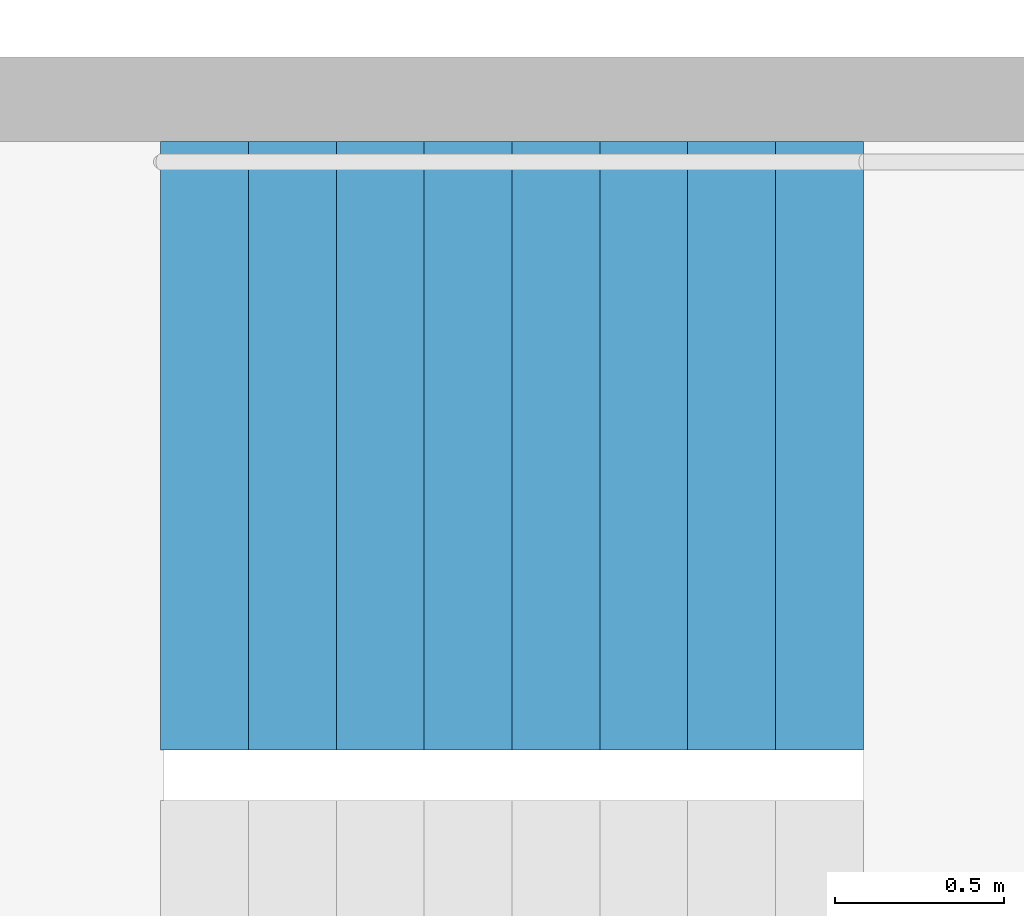
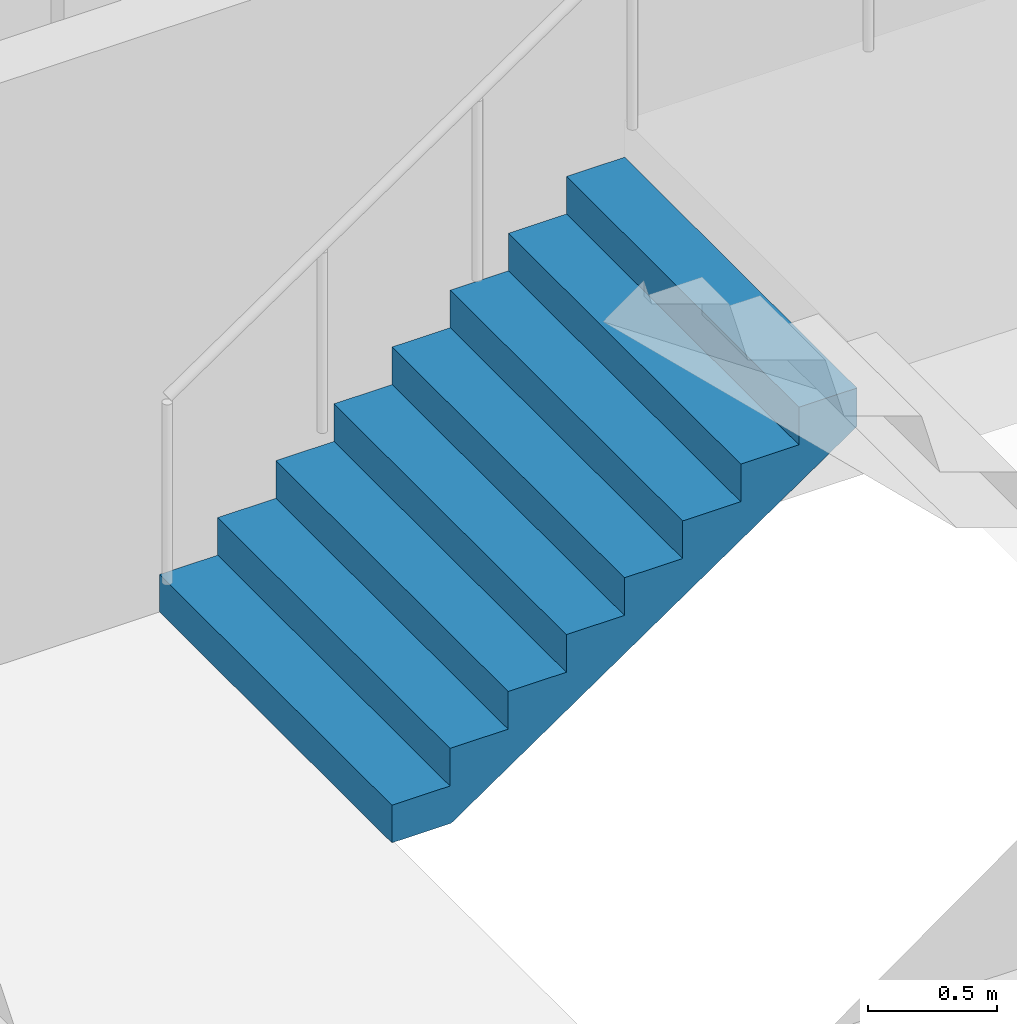
# One storey, part 23 of 26: 1 stair flight, 1 element without a shape of its own.
"""IFC4 building model written with IfcOpenShell, lengths in metres."""

from ifc_helpers import new_model, si_unit, direction, frame, origin, place, context, subcontext, project, spatial, triangles, material, type_object, element, aggregate, save


model = new_model("IFC4")

# Units and contexts
model_context = context("Model", 3, precision=1e-05, world=origin(), true_north=direction((0.0, 1.0)))
body_context = subcontext(model_context, "Body", "Model", "MODEL_VIEW")
ifc_project = project(units=[si_unit("LENGTHUNIT", "METRE"), si_unit("AREAUNIT", "SQUARE_METRE"), si_unit("VOLUMEUNIT", "CUBIC_METRE"), si_unit("PLANEANGLEUNIT", "RADIAN"), si_unit("MASSUNIT", "GRAM", prefix="KILO")], contexts=[model_context])

# Site, building, storey
site_placement = place(None, origin())
site = spatial("IfcSite", under=ifc_project, at=site_placement, CompositionType="ELEMENT")
building_placement = place(site_placement, origin())
building = spatial("IfcBuilding", under=site, at=building_placement, Name="Hakoniwa Tower and Hamabe Station Hall", CompositionType="ELEMENT")
storey_placement = place(building_placement, frame((0.0, 0.0, 153.39990234375)))
storey = spatial("IfcBuildingStorey", under=building, at=storey_placement, Name="L43", CompositionType="ELEMENT", Elevation=153.39990234375)

# Stair, stair flight
ifc_material_1 = material(Name="Concrete C40", Category="concrete")
stair_type = type_object("IfcStairType", Name="ESCAPE STAIR 1800", PredefinedType="HALF_TURN_STAIR", material=ifc_material_1)
stair_placement = place(storey_placement, origin())
stair = element("IfcStair", 1, at=stair_placement, inside=storey, type_object=stair_type, Name="Escape stair ST-4 L43", PredefinedType="HALF_TURN_STAIR")
ifc_material_2 = material(Name="Concrete C40", Category="concrete")
stair_flight_type = type_object("IfcStairFlightType", Name="STAIR FLIGHT 1800", PredefinedType="STRAIGHT", material=ifc_material_2)
stair_flight_placement = place(storey_placement, frame((23.39990234375, -4.64990234375, 0.0), z_axis=(0.0, 0.0, 1.0), x_axis=(1.0, 0.0, 0.0)))
stair_flight = element("IfcStairFlight", 2, at=stair_flight_placement, type_object=stair_flight_type, Name="ST-4 flight 1", NumberOfRisers=9, NumberOfTreads=8, PredefinedType="STRAIGHT", RiserHeight=0.177777778, TreadLength=0.26, context=body_context, shape_type="Tessellation", body=[
    triangles([(0.0, 0.89990234375, 0.0), (0.260009765625, 0.89990234375, 0.0), (0.265625, 0.89990234375, 0.0), (0.52001953125, 0.89990234375, 0.174072265625), (0.780029296875, 0.89990234375, 0.351806640625), (1.0400390625, 0.89990234375, 0.529541015625), (1.300048828125, 0.89990234375, 0.707275390625), (1.56005859375, 0.89990234375, 0.885009765625), (1.820068359375, 0.89990234375, 1.062744140625), (2.080078125, 0.89990234375, 1.24072265625), (2.080078125, 0.89990234375, 1.422119140625), (1.820068359375, 0.89990234375, 1.422119140625), (1.820068359375, 0.89990234375, 1.244384765625), (1.56005859375, 0.89990234375, 1.244384765625), (1.56005859375, 0.89990234375, 1.066650390625), (1.300048828125, 0.89990234375, 1.066650390625), (1.300048828125, 0.89990234375, 0.888916015625), (1.0400390625, 0.89990234375, 0.888916015625), (1.0400390625, 0.89990234375, 0.711181640625), (0.780029296875, 0.89990234375, 0.711181640625), (0.780029296875, 0.89990234375, 0.533447265625), (0.52001953125, 0.89990234375, 0.533447265625), (0.52001953125, 0.89990234375, 0.35546875), (0.265625, 0.89990234375, 0.35546875), (0.260009765625, 0.89990234375, 0.35546875), (0.260009765625, 0.89990234375, 0.177734375), (0.0, 0.89990234375, 0.177734375), (0.0, 0.06005859375, 0.0), (0.260009765625, 0.06005859375, 0.0), (0.265625, 0.06005859375, 0.0), (0.52001953125, 0.06005859375, 0.174072265625), (0.780029296875, 0.06005859375, 0.351806640625), (1.0400390625, 0.06005859375, 0.529541015625), (1.300048828125, 0.06005859375, 0.707275390625), (1.56005859375, 0.06005859375, 0.885009765625), (1.820068359375, 0.06005859375, 1.062744140625), (2.080078125, 0.06005859375, 1.24072265625), (2.080078125, 0.06005859375, 1.422119140625), (1.820068359375, 0.06005859375, 1.422119140625), (1.820068359375, 0.06005859375, 1.244384765625), (1.56005859375, 0.06005859375, 1.244384765625), (1.56005859375, 0.06005859375, 1.066650390625), (1.300048828125, 0.06005859375, 1.066650390625), (1.300048828125, 0.06005859375, 0.888916015625), (1.0400390625, 0.06005859375, 0.888916015625), (1.0400390625, 0.06005859375, 0.711181640625), (0.780029296875, 0.06005859375, 0.711181640625), (0.780029296875, 0.06005859375, 0.533447265625), (0.52001953125, 0.06005859375, 0.533447265625), (0.52001953125, 0.06005859375, 0.35546875), (0.265625, 0.06005859375, 0.35546875), (0.260009765625, 0.06005859375, 0.35546875), (0.260009765625, 0.06005859375, 0.177734375), (0.0, 0.06005859375, 0.177734375), (0.0, 0.04296875, 0.0), (0.260009765625, 0.04296875, 0.0), (0.265625, 0.04296875, 0.0), (0.52001953125, 0.04296875, 0.174072265625), (0.780029296875, 0.04296875, 0.351806640625), (1.0400390625, 0.04296875, 0.529541015625), (1.300048828125, 0.04296875, 0.707275390625), (1.56005859375, 0.04296875, 0.885009765625), (1.820068359375, 0.04296875, 1.062744140625), (2.080078125, 0.04296875, 1.24072265625), (2.080078125, 0.04296875, 1.422119140625), (1.820068359375, 0.04296875, 1.422119140625), (1.820068359375, 0.04296875, 1.244384765625), (1.56005859375, 0.04296875, 1.244384765625), (1.56005859375, 0.04296875, 1.066650390625), (1.300048828125, 0.04296875, 1.066650390625), (1.300048828125, 0.04296875, 0.888916015625), (1.0400390625, 0.04296875, 0.888916015625), (1.0400390625, 0.04296875, 0.711181640625), (0.780029296875, 0.04296875, 0.711181640625), (0.780029296875, 0.04296875, 0.533447265625), (0.52001953125, 0.04296875, 0.533447265625), (0.52001953125, 0.04296875, 0.35546875), (0.265625, 0.04296875, 0.35546875), (0.260009765625, 0.04296875, 0.35546875), (0.260009765625, 0.04296875, 0.177734375), (0.0, 0.04296875, 0.177734375), (0.0, 0.025634765625, 0.0), (0.260009765625, 0.025634765625, 0.0), (0.265625, 0.025634765625, 0.0), (0.52001953125, 0.025634765625, 0.174072265625), (0.780029296875, 0.025634765625, 0.351806640625), (1.0400390625, 0.025634765625, 0.529541015625), (1.300048828125, 0.025634765625, 0.707275390625), (1.56005859375, 0.025634765625, 0.885009765625), (1.820068359375, 0.025634765625, 1.062744140625), (2.080078125, 0.025634765625, 1.24072265625), (2.080078125, 0.025634765625, 1.422119140625), (1.820068359375, 0.025634765625, 1.422119140625), (1.820068359375, 0.025634765625, 1.244384765625), (1.56005859375, 0.025634765625, 1.244384765625), (1.56005859375, 0.025634765625, 1.066650390625), (1.300048828125, 0.025634765625, 1.066650390625), (1.300048828125, 0.025634765625, 0.888916015625), (1.0400390625, 0.025634765625, 0.888916015625), (1.0400390625, 0.025634765625, 0.711181640625), (0.780029296875, 0.025634765625, 0.711181640625), (0.780029296875, 0.025634765625, 0.533447265625), (0.52001953125, 0.025634765625, 0.533447265625), (0.52001953125, 0.025634765625, 0.35546875), (0.265625, 0.025634765625, 0.35546875), (0.260009765625, 0.025634765625, 0.35546875), (0.260009765625, 0.025634765625, 0.177734375), (0.0, 0.025634765625, 0.177734375), (0.0, 0.008544921875, 0.0), (0.260009765625, 0.008544921875, 0.0), (0.265625, 0.008544921875, 0.0), (0.52001953125, 0.008544921875, 0.174072265625), (0.780029296875, 0.008544921875, 0.351806640625), (1.0400390625, 0.008544921875, 0.529541015625), (1.300048828125, 0.008544921875, 0.707275390625), (1.56005859375, 0.008544921875, 0.885009765625), (1.820068359375, 0.008544921875, 1.062744140625), (2.080078125, 0.008544921875, 1.24072265625), (2.080078125, 0.008544921875, 1.422119140625), (1.820068359375, 0.008544921875, 1.422119140625), (1.820068359375, 0.008544921875, 1.244384765625), (1.56005859375, 0.008544921875, 1.244384765625), (1.56005859375, 0.008544921875, 1.066650390625), (1.300048828125, 0.008544921875, 1.066650390625), (1.300048828125, 0.008544921875, 0.888916015625), (1.0400390625, 0.008544921875, 0.888916015625), (1.0400390625, 0.008544921875, 0.711181640625), (0.780029296875, 0.008544921875, 0.711181640625), (0.780029296875, 0.008544921875, 0.533447265625), (0.52001953125, 0.008544921875, 0.533447265625), (0.52001953125, 0.008544921875, 0.35546875), (0.265625, 0.008544921875, 0.35546875), (0.260009765625, 0.008544921875, 0.35546875), (0.260009765625, 0.008544921875, 0.177734375), (0.0, 0.008544921875, 0.177734375), (0.0, -0.008544921875, 0.0), (0.260009765625, -0.008544921875, 0.0), (0.265625, -0.008544921875, 0.0), (0.52001953125, -0.008544921875, 0.174072265625), (0.780029296875, -0.008544921875, 0.351806640625), (1.0400390625, -0.008544921875, 0.529541015625), (1.300048828125, -0.008544921875, 0.707275390625), (1.56005859375, -0.008544921875, 0.885009765625), (1.820068359375, -0.008544921875, 1.062744140625), (2.080078125, -0.008544921875, 1.24072265625), (2.080078125, -0.008544921875, 1.422119140625), (1.820068359375, -0.008544921875, 1.422119140625), (1.820068359375, -0.008544921875, 1.244384765625), (1.56005859375, -0.008544921875, 1.244384765625), (1.56005859375, -0.008544921875, 1.066650390625), (1.300048828125, -0.008544921875, 1.066650390625), (1.300048828125, -0.008544921875, 0.888916015625), (1.0400390625, -0.008544921875, 0.888916015625), (1.0400390625, -0.008544921875, 0.711181640625), (0.780029296875, -0.008544921875, 0.711181640625), (0.780029296875, -0.008544921875, 0.533447265625), (0.52001953125, -0.008544921875, 0.533447265625), (0.52001953125, -0.008544921875, 0.35546875), (0.265625, -0.008544921875, 0.35546875), (0.260009765625, -0.008544921875, 0.35546875), (0.260009765625, -0.008544921875, 0.177734375), (0.0, -0.008544921875, 0.177734375), (0.0, -0.025634765625, 0.0), (0.260009765625, -0.025634765625, 0.0), (0.265625, -0.025634765625, 0.0), (0.52001953125, -0.025634765625, 0.174072265625), (0.780029296875, -0.025634765625, 0.351806640625), (1.0400390625, -0.025634765625, 0.529541015625), (1.300048828125, -0.025634765625, 0.707275390625), (1.56005859375, -0.025634765625, 0.885009765625), (1.820068359375, -0.025634765625, 1.062744140625), (2.080078125, -0.025634765625, 1.24072265625), (2.080078125, -0.025634765625, 1.422119140625), (1.820068359375, -0.025634765625, 1.422119140625), (1.820068359375, -0.025634765625, 1.244384765625), (1.56005859375, -0.025634765625, 1.244384765625), (1.56005859375, -0.025634765625, 1.066650390625), (1.300048828125, -0.025634765625, 1.066650390625), (1.300048828125, -0.025634765625, 0.888916015625), (1.0400390625, -0.025634765625, 0.888916015625), (1.0400390625, -0.025634765625, 0.711181640625), (0.780029296875, -0.025634765625, 0.711181640625), (0.780029296875, -0.025634765625, 0.533447265625), (0.52001953125, -0.025634765625, 0.533447265625), (0.52001953125, -0.025634765625, 0.35546875), (0.265625, -0.025634765625, 0.35546875), (0.260009765625, -0.025634765625, 0.35546875), (0.260009765625, -0.025634765625, 0.177734375), (0.0, -0.025634765625, 0.177734375), (0.0, -0.04296875, 0.0), (0.260009765625, -0.04296875, 0.0), (0.265625, -0.04296875, 0.0), (0.52001953125, -0.04296875, 0.174072265625), (0.780029296875, -0.04296875, 0.351806640625), (1.0400390625, -0.04296875, 0.529541015625), (1.300048828125, -0.04296875, 0.707275390625), (1.56005859375, -0.04296875, 0.885009765625), (1.820068359375, -0.04296875, 1.062744140625), (2.080078125, -0.04296875, 1.24072265625), (2.080078125, -0.04296875, 1.422119140625), (1.820068359375, -0.04296875, 1.422119140625), (1.820068359375, -0.04296875, 1.244384765625), (1.56005859375, -0.04296875, 1.244384765625), (1.56005859375, -0.04296875, 1.066650390625), (1.300048828125, -0.04296875, 1.066650390625), (1.300048828125, -0.04296875, 0.888916015625), (1.0400390625, -0.04296875, 0.888916015625), (1.0400390625, -0.04296875, 0.711181640625), (0.780029296875, -0.04296875, 0.711181640625), (0.780029296875, -0.04296875, 0.533447265625), (0.52001953125, -0.04296875, 0.533447265625), (0.52001953125, -0.04296875, 0.35546875), (0.265625, -0.04296875, 0.35546875), (0.260009765625, -0.04296875, 0.35546875), (0.260009765625, -0.04296875, 0.177734375), (0.0, -0.04296875, 0.177734375), (0.0, -0.06005859375, 0.0), (0.260009765625, -0.06005859375, 0.0), (0.265625, -0.06005859375, 0.0), (0.52001953125, -0.06005859375, 0.174072265625), (0.780029296875, -0.06005859375, 0.351806640625), (1.0400390625, -0.06005859375, 0.529541015625), (1.300048828125, -0.06005859375, 0.707275390625), (1.56005859375, -0.06005859375, 0.885009765625), (1.820068359375, -0.06005859375, 1.062744140625), (2.080078125, -0.06005859375, 1.24072265625), (2.080078125, -0.06005859375, 1.422119140625), (1.820068359375, -0.06005859375, 1.422119140625), (1.820068359375, -0.06005859375, 1.244384765625), (1.56005859375, -0.06005859375, 1.244384765625), (1.56005859375, -0.06005859375, 1.066650390625), (1.300048828125, -0.06005859375, 1.066650390625), (1.300048828125, -0.06005859375, 0.888916015625), (1.0400390625, -0.06005859375, 0.888916015625), (1.0400390625, -0.06005859375, 0.711181640625), (0.780029296875, -0.06005859375, 0.711181640625), (0.780029296875, -0.06005859375, 0.533447265625), (0.52001953125, -0.06005859375, 0.533447265625), (0.52001953125, -0.06005859375, 0.35546875), (0.265625, -0.06005859375, 0.35546875), (0.260009765625, -0.06005859375, 0.35546875), (0.260009765625, -0.06005859375, 0.177734375), (0.0, -0.06005859375, 0.177734375), (0.0, -0.89990234375, 0.0), (0.260009765625, -0.89990234375, 0.0), (0.265625, -0.89990234375, 0.0), (0.52001953125, -0.89990234375, 0.174072265625), (0.780029296875, -0.89990234375, 0.351806640625), (1.0400390625, -0.89990234375, 0.529541015625), (1.300048828125, -0.89990234375, 0.707275390625), (1.56005859375, -0.89990234375, 0.885009765625), (1.820068359375, -0.89990234375, 1.062744140625), (2.080078125, -0.89990234375, 1.24072265625), (2.080078125, -0.89990234375, 1.422119140625), (1.820068359375, -0.89990234375, 1.422119140625), (1.820068359375, -0.89990234375, 1.244384765625), (1.56005859375, -0.89990234375, 1.244384765625), (1.56005859375, -0.89990234375, 1.066650390625), (1.300048828125, -0.89990234375, 1.066650390625), (1.300048828125, -0.89990234375, 0.888916015625), (1.0400390625, -0.89990234375, 0.888916015625), (1.0400390625, -0.89990234375, 0.711181640625), (0.780029296875, -0.89990234375, 0.711181640625), (0.780029296875, -0.89990234375, 0.533447265625), (0.52001953125, -0.89990234375, 0.533447265625), (0.52001953125, -0.89990234375, 0.35546875), (0.265625, -0.89990234375, 0.35546875), (0.260009765625, -0.89990234375, 0.35546875), (0.260009765625, -0.89990234375, 0.177734375), (0.0, -0.89990234375, 0.177734375)], [[2, 27, 26], [245, 269, 270], [2, 1, 27], [245, 270, 244], [3, 25, 24], [246, 267, 268], [3, 26, 25], [246, 268, 269], [3, 2, 26], [246, 269, 245], [4, 24, 23], [247, 266, 267], [4, 3, 24], [247, 267, 246], [5, 22, 21], [248, 264, 265], [5, 23, 22], [248, 265, 266], [5, 4, 23], [248, 266, 247], [6, 20, 19], [249, 262, 263], [6, 21, 20], [249, 263, 264], [6, 5, 21], [249, 264, 248], [7, 18, 17], [250, 260, 261], [7, 19, 18], [250, 261, 262], [7, 6, 19], [250, 262, 249], [8, 16, 15], [251, 258, 259], [8, 17, 16], [251, 259, 260], [8, 7, 17], [251, 260, 250], [9, 14, 13], [252, 256, 257], [9, 15, 14], [252, 257, 258], [9, 8, 15], [252, 258, 251], [10, 12, 11], [253, 254, 255], [10, 13, 12], [253, 255, 256], [10, 9, 13], [253, 256, 252], [1, 2, 29], [1, 29, 28], [28, 29, 56], [28, 56, 55], [55, 56, 83], [55, 83, 82], [82, 83, 110], [82, 110, 109], [109, 110, 137], [109, 137, 136], [136, 137, 164], [136, 164, 163], [163, 164, 191], [163, 191, 190], [190, 191, 218], [190, 218, 217], [217, 218, 245], [217, 245, 244], [2, 3, 30], [2, 30, 29], [29, 30, 57], [29, 57, 56], [56, 57, 84], [56, 84, 83], [83, 84, 111], [83, 111, 110], [110, 111, 138], [110, 138, 137], [137, 138, 165], [137, 165, 164], [164, 165, 192], [164, 192, 191], [191, 192, 219], [191, 219, 218], [218, 219, 246], [218, 246, 245], [3, 4, 31], [3, 31, 30], [30, 31, 58], [30, 58, 57], [57, 58, 85], [57, 85, 84], [84, 85, 112], [84, 112, 111], [111, 112, 139], [111, 139, 138], [138, 139, 166], [138, 166, 165], [165, 166, 193], [165, 193, 192], [192, 193, 220], [192, 220, 219], [219, 220, 247], [219, 247, 246], [4, 5, 32], [4, 32, 31], [31, 32, 59], [31, 59, 58], [58, 59, 86], [58, 86, 85], [85, 86, 113], [85, 113, 112], [112, 113, 140], [112, 140, 139], [139, 140, 167], [139, 167, 166], [166, 167, 194], [166, 194, 193], [193, 194, 221], [193, 221, 220], [220, 221, 248], [220, 248, 247], [5, 6, 33], [5, 33, 32], [32, 33, 60], [32, 60, 59], [59, 60, 87], [59, 87, 86], [86, 87, 114], [86, 114, 113], [113, 114, 141], [113, 141, 140], [140, 141, 168], [140, 168, 167], [167, 168, 195], [167, 195, 194], [194, 195, 222], [194, 222, 221], [221, 222, 249], [221, 249, 248], [6, 7, 34], [6, 34, 33], [33, 34, 61], [33, 61, 60], [60, 61, 88], [60, 88, 87], [87, 88, 115], [87, 115, 114], [114, 115, 142], [114, 142, 141], [141, 142, 169], [141, 169, 168], [168, 169, 196], [168, 196, 195], [195, 196, 223], [195, 223, 222], [222, 223, 250], [222, 250, 249], [7, 8, 35], [7, 35, 34], [34, 35, 62], [34, 62, 61], [61, 62, 89], [61, 89, 88], [88, 89, 116], [88, 116, 115], [115, 116, 143], [115, 143, 142], [142, 143, 170], [142, 170, 169], [169, 170, 197], [169, 197, 196], [196, 197, 224], [196, 224, 223], [223, 224, 251], [223, 251, 250], [8, 9, 36], [8, 36, 35], [35, 36, 63], [35, 63, 62], [62, 63, 90], [62, 90, 89], [89, 90, 117], [89, 117, 116], [116, 117, 144], [116, 144, 143], [143, 144, 171], [143, 171, 170], [170, 171, 198], [170, 198, 197], [197, 198, 225], [197, 225, 224], [224, 225, 252], [224, 252, 251], [9, 10, 37], [9, 37, 36], [36, 37, 64], [36, 64, 63], [63, 64, 91], [63, 91, 90], [90, 91, 118], [90, 118, 117], [117, 118, 145], [117, 145, 144], [144, 145, 172], [144, 172, 171], [171, 172, 199], [171, 199, 198], [198, 199, 226], [198, 226, 225], [225, 226, 253], [225, 253, 252], [10, 11, 38], [10, 38, 37], [37, 38, 65], [37, 65, 64], [64, 65, 92], [64, 92, 91], [91, 92, 119], [91, 119, 118], [118, 119, 146], [118, 146, 145], [145, 146, 173], [145, 173, 172], [172, 173, 200], [172, 200, 199], [199, 200, 227], [199, 227, 226], [226, 227, 254], [226, 254, 253], [11, 12, 39], [11, 39, 38], [38, 39, 66], [38, 66, 65], [65, 66, 93], [65, 93, 92], [92, 93, 120], [92, 120, 119], [119, 120, 147], [119, 147, 146], [146, 147, 174], [146, 174, 173], [173, 174, 201], [173, 201, 200], [200, 201, 228], [200, 228, 227], [227, 228, 255], [227, 255, 254], [12, 13, 40], [12, 40, 39], [39, 40, 67], [39, 67, 66], [66, 67, 94], [66, 94, 93], [93, 94, 121], [93, 121, 120], [120, 121, 148], [120, 148, 147], [147, 148, 175], [147, 175, 174], [174, 175, 202], [174, 202, 201], [201, 202, 229], [201, 229, 228], [228, 229, 256], [228, 256, 255], [13, 14, 41], [13, 41, 40], [40, 41, 68], [40, 68, 67], [67, 68, 95], [67, 95, 94], [94, 95, 122], [94, 122, 121], [121, 122, 149], [121, 149, 148], [148, 149, 176], [148, 176, 175], [175, 176, 203], [175, 203, 202], [202, 203, 230], [202, 230, 229], [229, 230, 257], [229, 257, 256], [14, 15, 42], [14, 42, 41], [41, 42, 69], [41, 69, 68], [68, 69, 96], [68, 96, 95], [95, 96, 123], [95, 123, 122], [122, 123, 150], [122, 150, 149], [149, 150, 177], [149, 177, 176], [176, 177, 204], [176, 204, 203], [203, 204, 231], [203, 231, 230], [230, 231, 258], [230, 258, 257], [15, 16, 43], [15, 43, 42], [42, 43, 70], [42, 70, 69], [69, 70, 97], [69, 97, 96], [96, 97, 124], [96, 124, 123], [123, 124, 151], [123, 151, 150], [150, 151, 178], [150, 178, 177], [177, 178, 205], [177, 205, 204], [204, 205, 232], [204, 232, 231], [231, 232, 259], [231, 259, 258], [16, 17, 44], [16, 44, 43], [43, 44, 71], [43, 71, 70], [70, 71, 98], [70, 98, 97], [97, 98, 125], [97, 125, 124], [124, 125, 152], [124, 152, 151], [151, 152, 179], [151, 179, 178], [178, 179, 206], [178, 206, 205], [205, 206, 233], [205, 233, 232], [232, 233, 260], [232, 260, 259], [17, 18, 45], [17, 45, 44], [44, 45, 72], [44, 72, 71], [71, 72, 99], [71, 99, 98], [98, 99, 126], [98, 126, 125], [125, 126, 153], [125, 153, 152], [152, 153, 180], [152, 180, 179], [179, 180, 207], [179, 207, 206], [206, 207, 234], [206, 234, 233], [233, 234, 261], [233, 261, 260], [18, 19, 46], [18, 46, 45], [45, 46, 73], [45, 73, 72], [72, 73, 100], [72, 100, 99], [99, 100, 127], [99, 127, 126], [126, 127, 154], [126, 154, 153], [153, 154, 181], [153, 181, 180], [180, 181, 208], [180, 208, 207], [207, 208, 235], [207, 235, 234], [234, 235, 262], [234, 262, 261], [19, 20, 47], [19, 47, 46], [46, 47, 74], [46, 74, 73], [73, 74, 101], [73, 101, 100], [100, 101, 128], [100, 128, 127], [127, 128, 155], [127, 155, 154], [154, 155, 182], [154, 182, 181], [181, 182, 209], [181, 209, 208], [208, 209, 236], [208, 236, 235], [235, 236, 263], [235, 263, 262], [20, 21, 48], [20, 48, 47], [47, 48, 75], [47, 75, 74], [74, 75, 102], [74, 102, 101], [101, 102, 129], [101, 129, 128], [128, 129, 156], [128, 156, 155], [155, 156, 183], [155, 183, 182], [182, 183, 210], [182, 210, 209], [209, 210, 237], [209, 237, 236], [236, 237, 264], [236, 264, 263], [21, 22, 49], [21, 49, 48], [48, 49, 76], [48, 76, 75], [75, 76, 103], [75, 103, 102], [102, 103, 130], [102, 130, 129], [129, 130, 157], [129, 157, 156], [156, 157, 184], [156, 184, 183], [183, 184, 211], [183, 211, 210], [210, 211, 238], [210, 238, 237], [237, 238, 265], [237, 265, 264], [22, 23, 50], [22, 50, 49], [49, 50, 77], [49, 77, 76], [76, 77, 104], [76, 104, 103], [103, 104, 131], [103, 131, 130], [130, 131, 158], [130, 158, 157], [157, 158, 185], [157, 185, 184], [184, 185, 212], [184, 212, 211], [211, 212, 239], [211, 239, 238], [238, 239, 266], [238, 266, 265], [23, 24, 51], [23, 51, 50], [50, 51, 78], [50, 78, 77], [77, 78, 105], [77, 105, 104], [104, 105, 132], [104, 132, 131], [131, 132, 159], [131, 159, 158], [158, 159, 186], [158, 186, 185], [185, 186, 213], [185, 213, 212], [212, 213, 240], [212, 240, 239], [239, 240, 267], [239, 267, 266], [24, 25, 52], [24, 52, 51], [51, 52, 79], [51, 79, 78], [78, 79, 106], [78, 106, 105], [105, 106, 133], [105, 133, 132], [132, 133, 160], [132, 160, 159], [159, 160, 187], [159, 187, 186], [186, 187, 214], [186, 214, 213], [213, 214, 241], [213, 241, 240], [240, 241, 268], [240, 268, 267], [25, 26, 53], [25, 53, 52], [52, 53, 80], [52, 80, 79], [79, 80, 107], [79, 107, 106], [106, 107, 134], [106, 134, 133], [133, 134, 161], [133, 161, 160], [160, 161, 188], [160, 188, 187], [187, 188, 215], [187, 215, 214], [214, 215, 242], [214, 242, 241], [241, 242, 269], [241, 269, 268], [26, 27, 54], [26, 54, 53], [53, 54, 81], [53, 81, 80], [80, 81, 108], [80, 108, 107], [107, 108, 135], [107, 135, 134], [134, 135, 162], [134, 162, 161], [161, 162, 189], [161, 189, 188], [188, 189, 216], [188, 216, 215], [215, 216, 243], [215, 243, 242], [242, 243, 270], [242, 270, 269], [27, 1, 28], [27, 28, 54], [54, 28, 55], [54, 55, 81], [81, 55, 82], [81, 82, 108], [108, 82, 109], [108, 109, 135], [135, 109, 136], [135, 136, 162], [162, 136, 163], [162, 163, 189], [189, 163, 190], [189, 190, 216], [216, 190, 217], [216, 217, 243], [243, 217, 244], [243, 244, 270]], closed=True),
])
aggregate(stair, [stair_flight])

save(model, "model.ifc")
